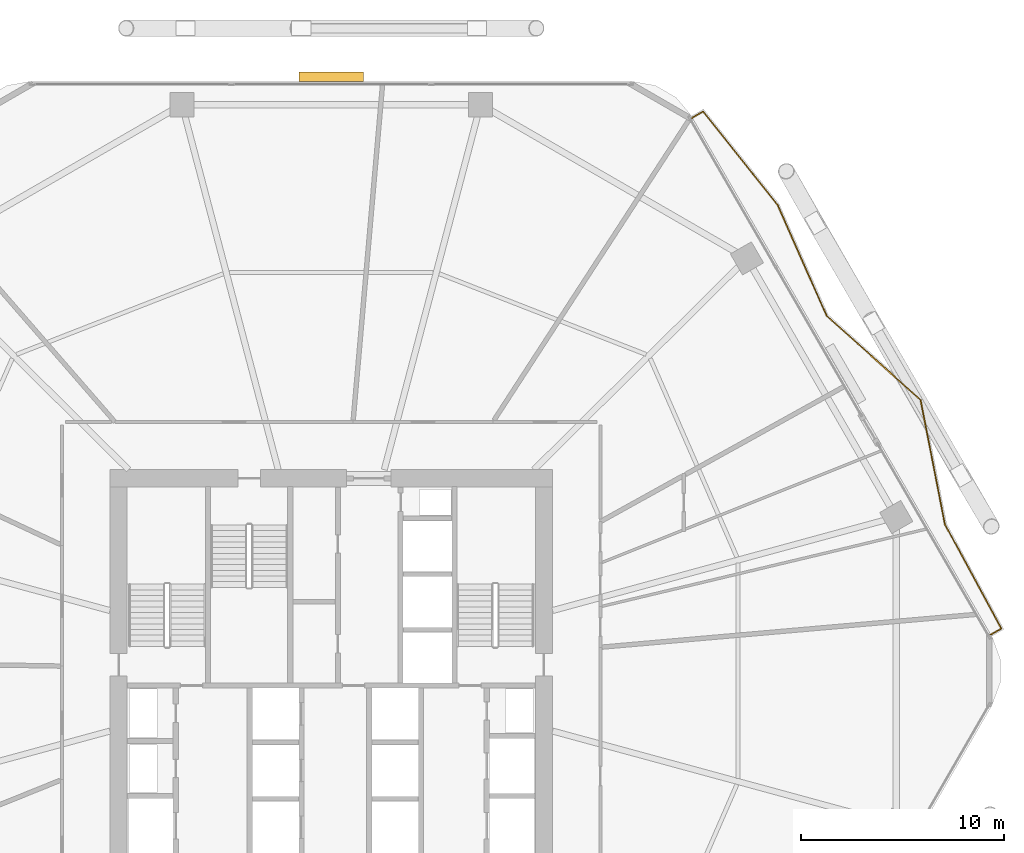
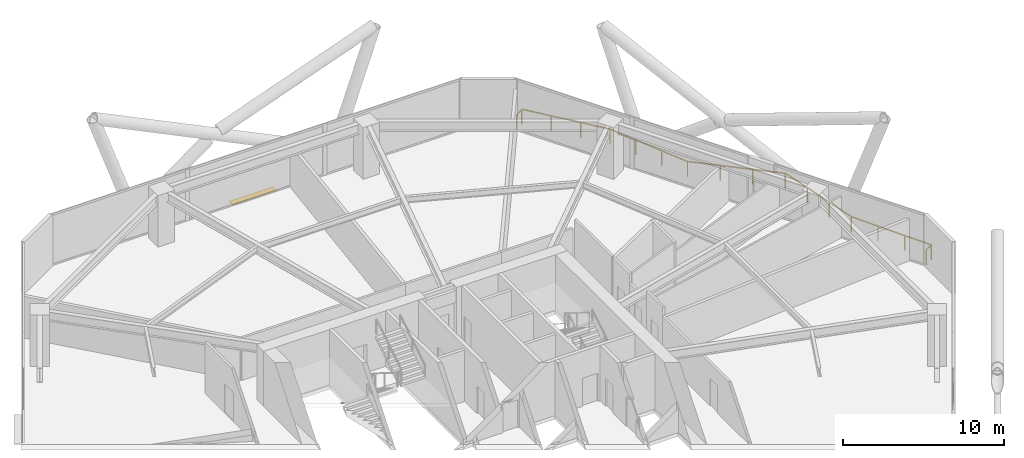
# One storey, part 30 of 30: 1 railing, 1 shading device.
"""IFC4 building model written with IfcOpenShell, lengths in metres."""

import ifcopenshell
import ifcopenshell.guid

model = None  # the IFC model being written
_history = None  # IfcOwnerHistory: only IFC2X3 demands one
_inside = {}  # id of a spatial element -> (the spatial element, [elements in it])
_under = {}  # id of a project, library or spatial element -> (it, [spatial elements below it])
_declared = {}  # id of a project -> (the project, [libraries it declares])
_typed = {}  # id of a type object -> (the type object, [elements of that type])
_made_of = {}  # id of a material, layer set ... -> (it, [elements and type objects made of it])


def new_model(schema):
    """Start an empty IFC model of exactly this schema.

    Asked for "IFC4X3", IfcOpenShell would pick the latest addendum, in which some entities
    have other attributes; the version numbers below select the first issue.
    IFC2X3 requires an IfcOwnerHistory on every rooted entity: one is made here for all.
    """
    global model, _history
    if schema == "IFC4X3":
        model = ifcopenshell.file(schema_version=(4, 3, 0, 0))
    else:
        model = ifcopenshell.file(schema=schema)
    _inside.clear()
    _under.clear()
    _declared.clear()
    _typed.clear()
    _made_of.clear()
    _history = None
    if model.schema == "IFC2X3":
        org = make("IfcOrganization", Name="unknown")
        user = make(
            "IfcPersonAndOrganization",
            ThePerson=make("IfcPerson", FamilyName="unknown"),
            TheOrganization=org,
        )
        app = make(
            "IfcApplication",
            ApplicationDeveloper=org,
            Version="unknown",
            ApplicationFullName="unknown",
            ApplicationIdentifier="unknown",
        )
        _history = make(
            "IfcOwnerHistory",
            OwningUser=user,
            OwningApplication=app,
            ChangeAction="ADDED",
            CreationDate=0,
        )
    return model


def make(cls, **values):
    """One entity of the class cls with the attributes given. An attribute that is None is left unset."""
    return model.create_entity(
        cls, **{name: value for name, value in values.items() if value is not None}
    )


def rooted(cls, **values):
    """An entity with a GlobalId (a new one), such as an element, a storey or a relation."""
    return make(cls, GlobalId=ifcopenshell.guid.new(), OwnerHistory=_history, **values)


def si_unit(unit_type, name, prefix=None):
    """IfcSIUnit, for example si_unit("LENGTHUNIT", "METRE", prefix="MILLI")."""
    return make("IfcSIUnit", UnitType=unit_type, Prefix=prefix, Name=name)


def assignment(units):
    """IfcUnitAssignment: the units of a project."""
    return None if units is None else make("IfcUnitAssignment", Units=units)


def point(xyz):
    """IfcCartesianPoint."""
    return None if xyz is None else make("IfcCartesianPoint", Coordinates=xyz)


def direction(xyz):
    """IfcDirection."""
    return None if xyz is None else make("IfcDirection", DirectionRatios=xyz)


def frame(location, z_axis=None, x_axis=None):
    """IfcAxis2Placement3D, a coordinate frame: its origin and axes. An axis left out is left unset."""
    return make(
        "IfcAxis2Placement3D",
        Location=point(location),
        Axis=direction(z_axis),
        RefDirection=direction(x_axis),
    )


def frame_2d(location, x_axis=None):
    """IfcAxis2Placement2D, a coordinate frame in the plane: its origin and x axis."""
    return make(
        "IfcAxis2Placement2D", Location=point(location), RefDirection=direction(x_axis)
    )


def origin():
    """The frame at (0, 0, 0) with its axes left unset."""
    return frame((0.0, 0.0, 0.0))


def origin_2d():
    """The frame at (0, 0) in the plane with its x axis left unset."""
    return frame_2d((0.0, 0.0))


def place(relative_to, where):
    """IfcLocalPlacement: puts the frame where relative to a parent placement (None: the world)."""
    return make(
        "IfcLocalPlacement", PlacementRelTo=relative_to, RelativePlacement=where
    )


def context(
    kind, dimensions, precision=None, world=None, true_north=None, identifier=None
):
    """IfcGeometricRepresentationContext, for example the 3D "Model" context."""
    return make(
        "IfcGeometricRepresentationContext",
        ContextIdentifier=identifier,
        ContextType=kind,
        CoordinateSpaceDimension=dimensions,
        Precision=precision,
        WorldCoordinateSystem=world,
        TrueNorth=true_north,
    )


def subcontext(parent, identifier, kind, view, scale=None):
    """IfcGeometricRepresentationSubContext, for example "Body" below "Model"."""
    return make(
        "IfcGeometricRepresentationSubContext",
        ContextIdentifier=identifier,
        ContextType=kind,
        ParentContext=parent,
        TargetScale=scale,
        TargetView=view,
    )


def project(units=None, contexts=None):
    """IfcProject with its units and contexts."""
    return rooted(
        "IfcProject",
        Name="project",
        RepresentationContexts=contexts,
        UnitsInContext=assignment(units),
    )


def spatial(cls, under=None, at=None, **own):
    """A site, building, storey or space (cls), placed at a placement, below another one or the project."""
    s = rooted(cls, ObjectPlacement=at, **own)
    if under is not None:
        _under.setdefault(under.id(), (under, []))[1].append(s)
    return s


def profile(cls, at=None, kind="AREA", **sizes):
    """A parametric profile (cls). Its sizes go by their IFC names, for example OverallWidth=200.0."""
    return make(cls, ProfileType=kind, Position=at, **sizes)


def rectangle(**sizes):
    """IfcRectangleProfileDef."""
    return profile("IfcRectangleProfileDef", **sizes)


def extrude(swept, where, along, depth):
    """IfcExtrudedAreaSolid: the profile swept, set in the frame where, extruded along a direction by depth."""
    return make(
        "IfcExtrudedAreaSolid",
        SweptArea=swept,
        Position=where,
        ExtrudedDirection=direction(along),
        Depth=depth,
    )


def shape(context_of_items, identifier, shape_type, items):
    """IfcShapeRepresentation: the items that make up one representation, for example the "Body"."""
    return make(
        "IfcShapeRepresentation",
        ContextOfItems=context_of_items,
        RepresentationIdentifier=identifier,
        RepresentationType=shape_type,
        Items=items,
    )


def material(Name=None, Category=None):
    """IfcMaterial."""
    return make("IfcMaterial", Name=Name, Category=Category)


def layer(
    of_material, thickness, ventilated=None, Name=None, Category=None, Priority=None
):
    """IfcMaterialLayer: one layer of a wall or slab, of a material (None: an air gap)."""
    return make(
        "IfcMaterialLayer",
        Material=of_material,
        LayerThickness=thickness,
        IsVentilated=ventilated,
        Name=Name,
        Category=Category,
        Priority=Priority,
    )


def layer_set(layers, Name=None):
    """IfcMaterialLayerSet."""
    return make("IfcMaterialLayerSet", MaterialLayers=layers, LayerSetName=Name)


def made_of(thing, what):
    """Note that an element or type object is made of a material, layer set ...; save() writes the relation."""
    if what is not None:
        _made_of.setdefault(what.id(), (what, []))[1].append(thing)
    return thing


def type_object(cls, material=None, **own):
    """A type object (cls), such as IfcWallType, which elements share."""
    return made_of(rooted(cls, **own), material)


def element(
    cls,
    number,
    at=None,
    inside=None,
    cuts=None,
    type_object=None,
    material=None,
    context=None,
    identifier="Body",
    shape_type=None,
    held_by="IfcProductDefinitionShape",
    body=None,
    shapes=None,
    **own,
):
    """One element of the class cls, such as IfcWall. Its Tag is "e" and its number.

    at: its placement. inside: the storey or other place that contains it. cuts: it is an
    opening in that element (IfcRelVoidsElement). A single representation is given by context,
    identifier, shape_type and body (its items); several are given by shapes. held_by: the class
    of the entity that holds the representations. save() writes the other relations.
    """
    e = rooted(cls, Tag="e%d" % number, ObjectPlacement=at, **own)
    if body is not None:
        shapes = [shape(context, identifier, shape_type, body)]
    if shapes is not None:
        e.Representation = make(held_by, Representations=shapes)
    if inside is not None:
        _inside.setdefault(inside.id(), (inside, []))[1].append(e)
    if cuts is not None:
        rooted(
            "IfcRelVoidsElement", RelatingBuildingElement=cuts, RelatedOpeningElement=e
        )
    if type_object is not None:
        _typed.setdefault(type_object.id(), (type_object, []))[1].append(e)
    return made_of(e, material)


def aggregate(whole, parts):
    """IfcRelAggregates: a whole, such as a stair, and the parts it consists of."""
    return rooted("IfcRelAggregates", RelatingObject=whole, RelatedObjects=parts)


def save(model, path):
    """Write the relations noted so far, then the file.

    IfcRelAggregates (storeys below a building ...), IfcRelContainedInSpatialStructure (elements
    in a storey), IfcRelDefinesByType, IfcRelAssociatesMaterial and IfcRelDeclares: one each for
    every whole, place, type object, material and project.
    """
    for whole, parts in _under.values():
        aggregate(whole, parts)
    for where, things in _inside.values():
        rooted(
            "IfcRelContainedInSpatialStructure",
            RelatedElements=things,
            RelatingStructure=where,
        )
    for kind, things in _typed.values():
        rooted("IfcRelDefinesByType", RelatedObjects=things, RelatingType=kind)
    for what, things in _made_of.values():
        rooted("IfcRelAssociatesMaterial", RelatedObjects=things, RelatingMaterial=what)
    for by, libraries in _declared.values():
        rooted("IfcRelDeclares", RelatingContext=by, RelatedDefinitions=libraries)
    model.write(path)


model = new_model("IFC4")

# Units and contexts
model_context = context("Model", 3, precision=1e-05, world=origin(), true_north=direction((0.0, 1.0)))
body_context = subcontext(model_context, "Body", "Model", "MODEL_VIEW")
ifc_project = project(units=[si_unit("LENGTHUNIT", "METRE"), si_unit("AREAUNIT", "SQUARE_METRE"), si_unit("VOLUMEUNIT", "CUBIC_METRE"), si_unit("PLANEANGLEUNIT", "RADIAN"), si_unit("MASSUNIT", "GRAM", prefix="KILO")], contexts=[model_context])

# Site, building, storey
site_placement = place(None, origin())
site = spatial("IfcSite", under=ifc_project, at=site_placement, CompositionType="ELEMENT")
building_placement = place(site_placement, origin())
building = spatial("IfcBuilding", under=site, at=building_placement, Name="Zuhravey Tower", CompositionType="ELEMENT")
storey_placement = place(building_placement, frame((0.0, 0.0, 16.199951171875)))
storey = spatial("IfcBuildingStorey", under=building, at=storey_placement, Name="L04", CompositionType="ELEMENT", Elevation=16.199951171875)

# Railing
ifc_material_1 = material(Name="Stainless steel 316 and laminated glass", Category="steel")
railing_type = type_object("IfcRailingType", Name="Balcony & Terrace Guardrail 1150", PredefinedType="BALUSTRADE", material=ifc_material_1)
railing_placement = place(storey_placement, frame((53.7880859375, 59.27685546875, 0.0)))
element("IfcRailing", 1, at=railing_placement, inside=storey, type_object=railing_type, Name="L04 Face 1 Wave Balcony Guardrail GR1", PredefinedType="BALUSTRADE", context=body_context, shape_type="SweptSolid", body=[
    extrude(rectangle(XDim=0.048095703125, YDim=0.048095703125, at=origin_2d()), frame((0.001708984375, 0.0009765625, 1.1259765625), z_axis=(0.865936922628, 0.500153222552, 0.0), x_axis=(-0.500153222552, 0.865936922628, 0.0)), (0.0, 0.0, 1.0), 0.650146484375),
    extrude(rectangle(XDim=0.048095703125, YDim=0.048095703125, at=origin_2d()), frame((0.567626953125, 0.32568359375, 1.1259765625), z_axis=(0.623356744001, -0.781937574049, 0.0), x_axis=(0.781937574049, 0.623356744001, 0.0)), (0.0, 0.0, 1.0), 5.8955078125),
    extrude(rectangle(XDim=0.048095703125, YDim=0.048095703125, at=origin_2d()), frame((4.24462890625, -4.28759765625, 1.1259765625), z_axis=(0.404624984748, -0.914482707172, 0.0), x_axis=(0.914482707172, 0.404624984748, 0.0)), (0.0, 0.0, 1.0), 5.969970703125),
    extrude(rectangle(XDim=0.048095703125, YDim=0.048095703125, at=origin_2d()), frame((6.66259765625, -9.750244140625, 1.1259765625), z_axis=(0.744693696148, -0.667406397121, 0.0), x_axis=(0.667406397121, 0.744693696148, 0.0)), (0.0, 0.0, 1.0), 6.225341796875),
    extrude(rectangle(XDim=0.048095703125, YDim=0.048095703125, at=origin_2d()), frame((11.300537109375, -13.908447265625, 1.1259765625), z_axis=(0.191916769066, -0.98141120523, 0.0), x_axis=(0.98141120523, 0.191916769066, 0.0)), (0.0, 0.0, 1.0), 6.24853515625),
    extrude(rectangle(XDim=0.048095703125, YDim=0.048095703125, at=origin_2d()), frame((12.5009765625, -20.04443359375, 1.1259765625), z_axis=(0.475967260889, -0.879462998973, 0.0), x_axis=(0.879462998973, 0.475967260889, 0.0)), (0.0, 0.0, 1.0), 5.84765625),
    extrude(rectangle(XDim=0.048095703125, YDim=0.048095703125, at=origin_2d()), frame((15.283447265625, -25.18994140625, 1.1259765625), z_axis=(-0.8660843843, -0.499897828833, 0.0), x_axis=(0.499897828833, -0.8660843843, 0.0)), (0.0, 0.0, 1.0), 0.638671875),
    extrude(rectangle(XDim=0.0419921875, YDim=0.0419921875, at=origin_2d()), origin(), (0.0, 0.0, 1.0), 1.099853515625),
    extrude(rectangle(XDim=0.0419921875, YDim=0.0419921875, at=origin_2d()), frame((0.56640625, 0.3271484375, 0.0)), (0.0, 0.0, 1.0), 1.099853515625),
    extrude(rectangle(XDim=0.0419921875, YDim=0.0419921875, at=origin_2d()), frame((1.792236328125, -1.21044921875, 0.0)), (0.0, 0.0, 1.0), 1.099853515625),
    extrude(rectangle(XDim=0.0419921875, YDim=0.0419921875, at=origin_2d()), frame((3.01806640625, -2.748291015625, 0.0)), (0.0, 0.0, 1.0), 1.099853515625),
    extrude(rectangle(XDim=0.0419921875, YDim=0.0419921875, at=origin_2d()), frame((4.243896484375, -4.285888671875, 0.0)), (0.0, 0.0, 1.0), 1.099853515625),
    extrude(rectangle(XDim=0.0419921875, YDim=0.0419921875, at=origin_2d()), frame((5.049560546875, -6.10693359375, 0.0)), (0.0, 0.0, 1.0), 1.099853515625),
    extrude(rectangle(XDim=0.0419921875, YDim=0.0419921875, at=origin_2d()), frame((5.85546875, -7.927978515625, 0.0)), (0.0, 0.0, 1.0), 1.099853515625),
    extrude(rectangle(XDim=0.0419921875, YDim=0.0419921875, at=origin_2d()), frame((6.6611328125, -9.7490234375, 0.0)), (0.0, 0.0, 1.0), 1.099853515625),
    extrude(rectangle(XDim=0.0419921875, YDim=0.0419921875, at=origin_2d()), frame((8.20751953125, -11.134765625, 0.0)), (0.0, 0.0, 1.0), 1.099853515625),
    extrude(rectangle(XDim=0.0419921875, YDim=0.0419921875, at=origin_2d()), frame((9.753662109375, -12.520751953125, 0.0)), (0.0, 0.0, 1.0), 1.099853515625),
    extrude(rectangle(XDim=0.0419921875, YDim=0.0419921875, at=origin_2d()), frame((11.300048828125, -13.906494140625, 0.0)), (0.0, 0.0, 1.0), 1.099853515625),
    extrude(rectangle(XDim=0.0419921875, YDim=0.0419921875, at=origin_2d()), frame((11.699951171875, -15.951904296875, 0.0)), (0.0, 0.0, 1.0), 1.099853515625),
    extrude(rectangle(XDim=0.0419921875, YDim=0.0419921875, at=origin_2d()), frame((12.10009765625, -17.997314453125, 0.0)), (0.0, 0.0, 1.0), 1.099853515625),
    extrude(rectangle(XDim=0.0419921875, YDim=0.0419921875, at=origin_2d()), frame((12.5, -20.042724609375, 0.0)), (0.0, 0.0, 1.0), 1.099853515625),
    extrude(rectangle(XDim=0.0419921875, YDim=0.0419921875, at=origin_2d()), frame((13.428466796875, -21.758056640625, 0.0)), (0.0, 0.0, 1.0), 1.099853515625),
    extrude(rectangle(XDim=0.0419921875, YDim=0.0419921875, at=origin_2d()), frame((14.356689453125, -23.4736328125, 0.0)), (0.0, 0.0, 1.0), 1.099853515625),
    extrude(rectangle(XDim=0.0419921875, YDim=0.0419921875, at=origin_2d()), frame((15.28515625, -25.18896484375, 0.0)), (0.0, 0.0, 1.0), 1.099853515625),
    extrude(rectangle(XDim=0.0419921875, YDim=0.0419921875, at=origin_2d()), frame((14.728515625, -25.51025390625, 0.0)), (0.0, 0.0, 1.0), 1.099853515625),
])

# Shading device
ifc_material_2 = material(Name="Bronze-anodised extruded aluminium", Category="aluminium")
ifc_layer = layer(ifc_material_2, 0.0400390625)
ifc_layer_set = layer_set([ifc_layer], Name="Bronze-anodised extruded aluminium")
shading_device_type = type_object("IfcShadingDeviceType", Name="Horizontal Sunshade Fin", PredefinedType="JALOUSIE", material=ifc_layer_set)
shading_device_placement = place(storey_placement, frame((36.0, 61.323486328125, -0.099853515625), z_axis=(0.0, 0.0, 1.0), x_axis=(1.0, 0.0, 0.0)))
element("IfcShadingDevice", 2, at=shading_device_placement, inside=storey, type_object=shading_device_type, Name="L04 Face 2 Horizontal Sunshade Fin SUN1", PredefinedType="JALOUSIE", context=body_context, shape_type="SweptSolid", body=[
    extrude(rectangle(XDim=3.199951171875, YDim=0.449951171875, at=origin_2d()), origin(), (0.0, 0.0, 1.0), 0.0400390625),
])

save(model, "model.ifc")
